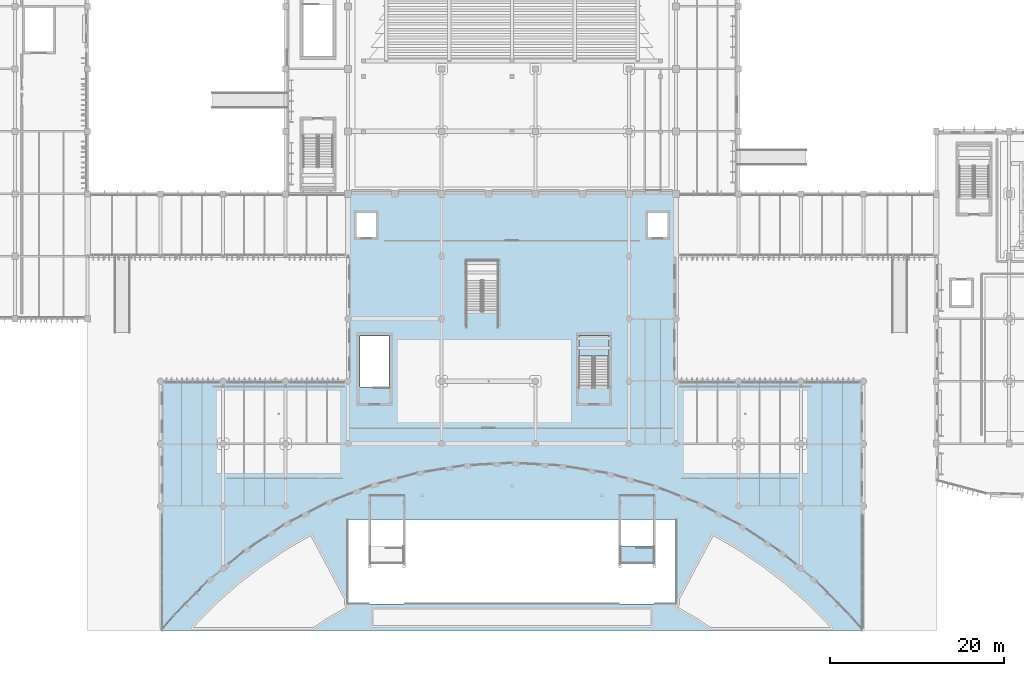
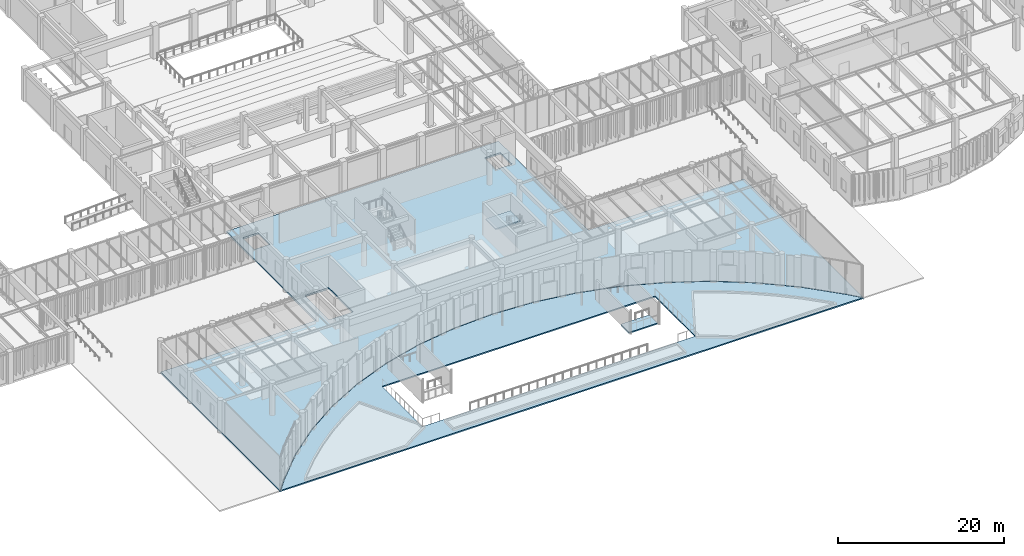
# One storey, part 18 of 122: 4 slabs, 1 element without a shape of its own.
"""IFC4 building model written with IfcOpenShell, lengths in metres."""

from ifc_helpers import new_model, si_unit, direction, frame, origin, place, context, subcontext, project, spatial, polyline, outline, extrude, material, layer, layer_set, type_object, element, aggregate, save


model = new_model("IFC4")

# Units and contexts
model_context = context("Model", 3, precision=1e-05, world=origin(), true_north=direction((0.0, 1.0)))
body_context = subcontext(model_context, "Body", "Model", "MODEL_VIEW")
ifc_project = project(units=[si_unit("LENGTHUNIT", "METRE"), si_unit("AREAUNIT", "SQUARE_METRE"), si_unit("VOLUMEUNIT", "CUBIC_METRE"), si_unit("PLANEANGLEUNIT", "RADIAN"), si_unit("MASSUNIT", "GRAM", prefix="KILO")], contexts=[model_context])

# Site, building, storey
site_placement = place(None, origin())
site = spatial("IfcSite", under=ifc_project, at=site_placement, CompositionType="ELEMENT")
building_placement = place(site_placement, origin())
building = spatial("IfcBuilding", under=site, at=building_placement, Name="Tazoul Stagehouse", CompositionType="ELEMENT")
storey_placement = place(building_placement, origin())
storey = spatial("IfcBuildingStorey", under=building, at=storey_placement, Name="L00", CompositionType="ELEMENT", Elevation=0.0)

# Stair, slab
ifc_material_1 = material(Name="Concrete C40/50", Category="concrete")
stair_type = type_object("IfcStairType", Name="Protected Core Dogleg Stair 4200", PredefinedType="HALF_TURN_STAIR", material=ifc_material_1)
stair_placement = place(storey_placement, origin())
stair = element("IfcStair", 1, at=stair_placement, inside=storey, type_object=stair_type, Name="L00 Core Escape Stair ST-08", PredefinedType="HALF_TURN_STAIR")
ifc_layer_1 = layer(ifc_material_1, 0.179931640625, Name="Concrete C40/50")
ifc_layer_set_1 = layer_set([ifc_layer_1], Name="Concrete C40/50")
slab_type_1 = type_object("IfcSlabType", Name="Core Half-Landing Slab 180", PredefinedType="LANDING", material=ifc_layer_set_1)
slab_1_placement = place(storey_placement, frame((0.0, 0.0, 2.199951171875)))
slab_1 = element("IfcSlab", 2, at=slab_1_placement, type_object=slab_type_1, Name="ST-08 landing 1", PredefinedType="LANDING", context=body_context, shape_type="SweptSolid", body=[
    extrude(outline(polyline([(87.64990234375, 33.080078125), (87.64990234375, 35.47998046875), (84.199951171875, 35.47998046875), (84.199951171875, 33.080078125), (87.64990234375, 33.080078125)])), origin(), (0.0, 0.0, 1.0), 0.199951171875),
])
aggregate(stair, [slab_1])

# Slabs
slab_2_placement = place(storey_placement, frame((0.0, 0.0, -0.179931640625)))
element("IfcSlab", 3, at=slab_2_placement, inside=storey, type_object=slab_type_1, Name="Amphitheatre Top Arrival Landing (AMP-E)", PredefinedType="LANDING", context=body_context, shape_type="SweptSolid", body=[
    extrude(outline(polyline([(88.93994140625, 9.199951171875), (92.909912109375, 9.199951171875), (92.909912109375, 11.199951171875), (88.93994140625, 11.199951171875), (88.93994140625, 9.199951171875)])), origin(), (0.0, 0.0, 1.0), 0.179931640625),
])
ifc_material_2 = material(Name="Concrete C35/45", Category="concrete")
ifc_layer_2 = layer(ifc_material_2, 0.260009765625, Name="Concrete C35/45")
ifc_layer_set_2 = layer_set([ifc_layer_2], Name="Concrete C35/45")
slab_type_2 = type_object("IfcSlabType", Name="Crescent Foyer Slab 260", PredefinedType="FLOOR", material=ifc_layer_set_2)
slab_3_placement = place(storey_placement, frame((0.0, 0.0, -0.260009765625)))
element("IfcSlab", 4, at=slab_3_placement, inside=storey, type_object=slab_type_2, Name="L00 Crescent Foyer Slab 260 (V5)", PredefinedType="FLOOR", context=body_context, shape_type="SweptSolid", body=[
    extrude(outline(polyline([(36.0, 1.449951171875), (36.0, 30.199951171875), (57.60009765625, 30.199951171875), (57.60009765625, 51.800048828125), (95.39990234375, 51.800048828125), (95.39990234375, 30.199951171875), (117.0, 30.199951171875), (117.0, 1.449951171875), (115.5, 3.1796875), (111.641845703125, 7.11328125), (107.388916015625, 10.616455078125), (102.78955078125, 13.64990234375), (97.894775390625, 16.1796875), (92.760009765625, 18.177490234375), (87.4423828125, 19.62060546875), (82.002197265625, 20.4931640625), (76.5, 20.784912109375), (70.997802734375, 20.4931640625), (65.5576171875, 19.62060546875), (60.239990234375, 18.177490234375), (55.105224609375, 16.1796875), (50.21044921875, 13.64990234375), (45.611083984375, 10.616455078125), (41.358154296875, 7.11328125), (37.5, 3.1796875), (36.0, 1.449951171875)]), holes=[polyline([(59.010009765625, 29.5400390625), (59.010009765625, 35.419921875), (62.340087890625, 35.419921875), (62.340087890625, 29.5400390625), (59.010009765625, 29.5400390625)]), polyline([(58.60009765625, 46.800048828125), (58.60009765625, 49.60009765625), (60.800048828125, 49.60009765625), (60.800048828125, 46.800048828125), (58.60009765625, 46.800048828125)]), polyline([(92.199951171875, 46.800048828125), (92.199951171875, 49.60009765625), (94.39990234375, 49.60009765625), (94.39990234375, 46.800048828125), (92.199951171875, 46.800048828125)])]), origin(), (0.0, 0.0, 1.0), 0.260009765625),
])
ifc_material_3 = material(Name="Precast concrete C35/45", Category="concrete")
ifc_layer_3 = layer(ifc_material_3, 0.179931640625, Name="Precast concrete C35/45")
ifc_layer_set_3 = layer_set([ifc_layer_3], Name="Precast concrete C35/45")
slab_type_3 = type_object("IfcSlabType", Name="Exterior Civic Transit Plaza Paving Plinth 180", PredefinedType="BASESLAB", material=ifc_layer_set_3)
slab_4_placement = place(storey_placement, frame((0.0, 0.0, -0.179931640625)))
element("IfcSlab", 5, at=slab_4_placement, inside=storey, type_object=slab_type_3, Name="L00 Civic Transit Plaza Paving Plinth PV-01 (1)", PredefinedType="BASESLAB", context=body_context, shape_type="SweptSolid", body=[
    extrude(outline(polyline([(37.544189453125, 3.13916015625), (41.398681640625, 7.069091796875), (45.646728515625, 10.568115234375), (50.240966796875, 13.59814453125), (55.1298828125, 16.125), (60.2587890625, 18.120361328125), (65.5703125, 19.56201171875), (71.00439453125, 20.433349609375), (76.5, 20.724853515625), (81.99560546875, 20.433349609375), (87.4296875, 19.56201171875), (92.7412109375, 18.120361328125), (97.8701171875, 16.125), (102.759033203125, 13.59814453125), (107.353271484375, 10.568115234375), (111.601318359375, 7.069091796875), (115.455810546875, 3.13916015625), (116.920654296875, 1.449951171875), (36.079345703125, 1.449951171875), (37.544189453125, 3.13916015625)]), holes=[polyline([(95.4599609375, 14.260009765625), (57.5400390625, 14.260009765625), (57.5400390625, 4.5400390625), (95.4599609375, 4.5400390625), (95.4599609375, 14.260009765625)])]), origin(), (0.0, 0.0, 1.0), 0.179931640625),
])

save(model, "model.ifc")
